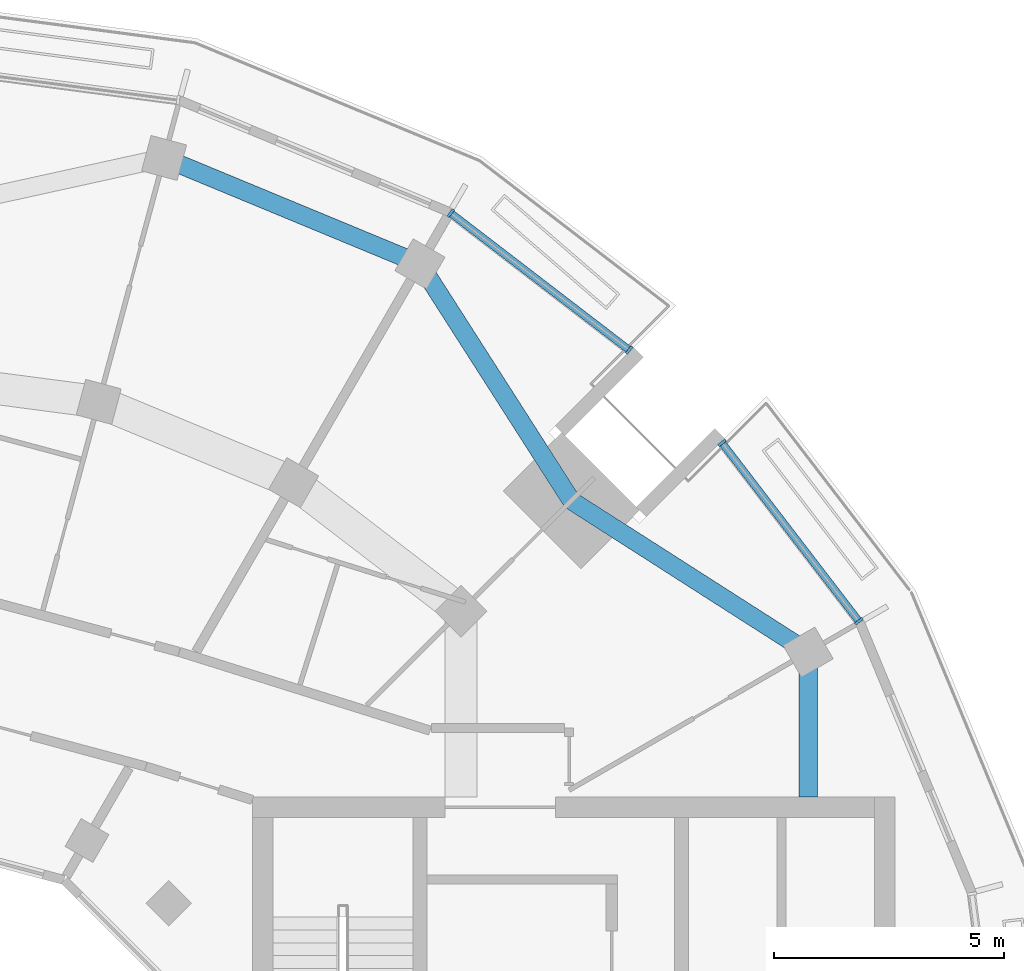
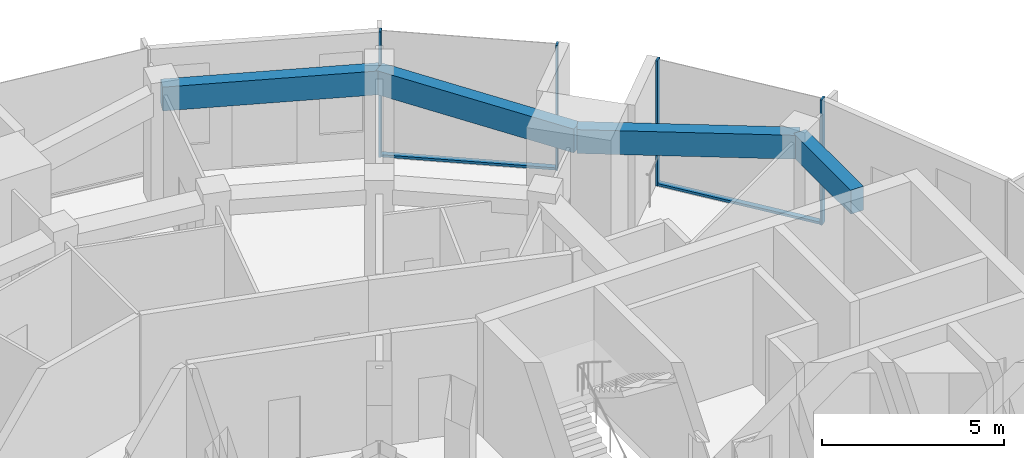
# One storey, part 6 of 17: 6 members, 4 beams, 2 elements without a shape of their own.
"""IFC4 building model written with IfcOpenShell, lengths in metres."""

import ifcopenshell
import ifcopenshell.guid

model = None  # the IFC model being written
_history = None  # IfcOwnerHistory: only IFC2X3 demands one
_inside = {}  # id of a spatial element -> (the spatial element, [elements in it])
_under = {}  # id of a project, library or spatial element -> (it, [spatial elements below it])
_declared = {}  # id of a project -> (the project, [libraries it declares])
_typed = {}  # id of a type object -> (the type object, [elements of that type])
_made_of = {}  # id of a material, layer set ... -> (it, [elements and type objects made of it])


def new_model(schema):
    """Start an empty IFC model of exactly this schema.

    Asked for "IFC4X3", IfcOpenShell would pick the latest addendum, in which some entities
    have other attributes; the version numbers below select the first issue.
    IFC2X3 requires an IfcOwnerHistory on every rooted entity: one is made here for all.
    """
    global model, _history
    if schema == "IFC4X3":
        model = ifcopenshell.file(schema_version=(4, 3, 0, 0))
    else:
        model = ifcopenshell.file(schema=schema)
    _inside.clear()
    _under.clear()
    _declared.clear()
    _typed.clear()
    _made_of.clear()
    _history = None
    if model.schema == "IFC2X3":
        org = make("IfcOrganization", Name="unknown")
        user = make(
            "IfcPersonAndOrganization",
            ThePerson=make("IfcPerson", FamilyName="unknown"),
            TheOrganization=org,
        )
        app = make(
            "IfcApplication",
            ApplicationDeveloper=org,
            Version="unknown",
            ApplicationFullName="unknown",
            ApplicationIdentifier="unknown",
        )
        _history = make(
            "IfcOwnerHistory",
            OwningUser=user,
            OwningApplication=app,
            ChangeAction="ADDED",
            CreationDate=0,
        )
    return model


def make(cls, **values):
    """One entity of the class cls with the attributes given. An attribute that is None is left unset."""
    return model.create_entity(
        cls, **{name: value for name, value in values.items() if value is not None}
    )


def rooted(cls, **values):
    """An entity with a GlobalId (a new one), such as an element, a storey or a relation."""
    return make(cls, GlobalId=ifcopenshell.guid.new(), OwnerHistory=_history, **values)


def si_unit(unit_type, name, prefix=None):
    """IfcSIUnit, for example si_unit("LENGTHUNIT", "METRE", prefix="MILLI")."""
    return make("IfcSIUnit", UnitType=unit_type, Prefix=prefix, Name=name)


def assignment(units):
    """IfcUnitAssignment: the units of a project."""
    return None if units is None else make("IfcUnitAssignment", Units=units)


def point(xyz):
    """IfcCartesianPoint."""
    return None if xyz is None else make("IfcCartesianPoint", Coordinates=xyz)


def direction(xyz):
    """IfcDirection."""
    return None if xyz is None else make("IfcDirection", DirectionRatios=xyz)


def frame(location, z_axis=None, x_axis=None):
    """IfcAxis2Placement3D, a coordinate frame: its origin and axes. An axis left out is left unset."""
    return make(
        "IfcAxis2Placement3D",
        Location=point(location),
        Axis=direction(z_axis),
        RefDirection=direction(x_axis),
    )


def frame_2d(location, x_axis=None):
    """IfcAxis2Placement2D, a coordinate frame in the plane: its origin and x axis."""
    return make(
        "IfcAxis2Placement2D", Location=point(location), RefDirection=direction(x_axis)
    )


def origin():
    """The frame at (0, 0, 0) with its axes left unset."""
    return frame((0.0, 0.0, 0.0))


def origin_2d():
    """The frame at (0, 0) in the plane with its x axis left unset."""
    return frame_2d((0.0, 0.0))


def place(relative_to, where):
    """IfcLocalPlacement: puts the frame where relative to a parent placement (None: the world)."""
    return make(
        "IfcLocalPlacement", PlacementRelTo=relative_to, RelativePlacement=where
    )


def context(
    kind, dimensions, precision=None, world=None, true_north=None, identifier=None
):
    """IfcGeometricRepresentationContext, for example the 3D "Model" context."""
    return make(
        "IfcGeometricRepresentationContext",
        ContextIdentifier=identifier,
        ContextType=kind,
        CoordinateSpaceDimension=dimensions,
        Precision=precision,
        WorldCoordinateSystem=world,
        TrueNorth=true_north,
    )


def subcontext(parent, identifier, kind, view, scale=None):
    """IfcGeometricRepresentationSubContext, for example "Body" below "Model"."""
    return make(
        "IfcGeometricRepresentationSubContext",
        ContextIdentifier=identifier,
        ContextType=kind,
        ParentContext=parent,
        TargetScale=scale,
        TargetView=view,
    )


def project(units=None, contexts=None):
    """IfcProject with its units and contexts."""
    return rooted(
        "IfcProject",
        Name="project",
        RepresentationContexts=contexts,
        UnitsInContext=assignment(units),
    )


def spatial(cls, under=None, at=None, **own):
    """A site, building, storey or space (cls), placed at a placement, below another one or the project."""
    s = rooted(cls, ObjectPlacement=at, **own)
    if under is not None:
        _under.setdefault(under.id(), (under, []))[1].append(s)
    return s


def profile(cls, at=None, kind="AREA", **sizes):
    """A parametric profile (cls). Its sizes go by their IFC names, for example OverallWidth=200.0."""
    return make(cls, ProfileType=kind, Position=at, **sizes)


def rectangle(**sizes):
    """IfcRectangleProfileDef."""
    return profile("IfcRectangleProfileDef", **sizes)


def extrude(swept, where, along, depth):
    """IfcExtrudedAreaSolid: the profile swept, set in the frame where, extruded along a direction by depth."""
    return make(
        "IfcExtrudedAreaSolid",
        SweptArea=swept,
        Position=where,
        ExtrudedDirection=direction(along),
        Depth=depth,
    )


def shape(context_of_items, identifier, shape_type, items):
    """IfcShapeRepresentation: the items that make up one representation, for example the "Body"."""
    return make(
        "IfcShapeRepresentation",
        ContextOfItems=context_of_items,
        RepresentationIdentifier=identifier,
        RepresentationType=shape_type,
        Items=items,
    )


def material(Name=None, Category=None):
    """IfcMaterial."""
    return make("IfcMaterial", Name=Name, Category=Category)


def layer(
    of_material, thickness, ventilated=None, Name=None, Category=None, Priority=None
):
    """IfcMaterialLayer: one layer of a wall or slab, of a material (None: an air gap)."""
    return make(
        "IfcMaterialLayer",
        Material=of_material,
        LayerThickness=thickness,
        IsVentilated=ventilated,
        Name=Name,
        Category=Category,
        Priority=Priority,
    )


def layer_set(layers, Name=None):
    """IfcMaterialLayerSet."""
    return make("IfcMaterialLayerSet", MaterialLayers=layers, LayerSetName=Name)


def material_profile(
    of_material, cross_section, Name=None, Category=None, Priority=None
):
    """IfcMaterialProfile: a cross section and its material."""
    return make(
        "IfcMaterialProfile",
        Name=Name,
        Material=of_material,
        Profile=cross_section,
        Priority=Priority,
        Category=Category,
    )


def profile_set(profiles, Name=None, composite=None):
    """IfcMaterialProfileSet."""
    return make(
        "IfcMaterialProfileSet",
        Name=Name,
        MaterialProfiles=profiles,
        CompositeProfile=composite,
    )


def made_of(thing, what):
    """Note that an element or type object is made of a material, layer set ...; save() writes the relation."""
    if what is not None:
        _made_of.setdefault(what.id(), (what, []))[1].append(thing)
    return thing


def type_object(cls, material=None, **own):
    """A type object (cls), such as IfcWallType, which elements share."""
    return made_of(rooted(cls, **own), material)


def element(
    cls,
    number,
    at=None,
    inside=None,
    cuts=None,
    type_object=None,
    material=None,
    context=None,
    identifier="Body",
    shape_type=None,
    held_by="IfcProductDefinitionShape",
    body=None,
    shapes=None,
    **own,
):
    """One element of the class cls, such as IfcWall. Its Tag is "e" and its number.

    at: its placement. inside: the storey or other place that contains it. cuts: it is an
    opening in that element (IfcRelVoidsElement). A single representation is given by context,
    identifier, shape_type and body (its items); several are given by shapes. held_by: the class
    of the entity that holds the representations. save() writes the other relations.
    """
    e = rooted(cls, Tag="e%d" % number, ObjectPlacement=at, **own)
    if body is not None:
        shapes = [shape(context, identifier, shape_type, body)]
    if shapes is not None:
        e.Representation = make(held_by, Representations=shapes)
    if inside is not None:
        _inside.setdefault(inside.id(), (inside, []))[1].append(e)
    if cuts is not None:
        rooted(
            "IfcRelVoidsElement", RelatingBuildingElement=cuts, RelatedOpeningElement=e
        )
    if type_object is not None:
        _typed.setdefault(type_object.id(), (type_object, []))[1].append(e)
    return made_of(e, material)


def aggregate(whole, parts):
    """IfcRelAggregates: a whole, such as a stair, and the parts it consists of."""
    return rooted("IfcRelAggregates", RelatingObject=whole, RelatedObjects=parts)


def save(model, path):
    """Write the relations noted so far, then the file.

    IfcRelAggregates (storeys below a building ...), IfcRelContainedInSpatialStructure (elements
    in a storey), IfcRelDefinesByType, IfcRelAssociatesMaterial and IfcRelDeclares: one each for
    every whole, place, type object, material and project.
    """
    for whole, parts in _under.values():
        aggregate(whole, parts)
    for where, things in _inside.values():
        rooted(
            "IfcRelContainedInSpatialStructure",
            RelatedElements=things,
            RelatingStructure=where,
        )
    for kind, things in _typed.values():
        rooted("IfcRelDefinesByType", RelatedObjects=things, RelatingType=kind)
    for what, things in _made_of.values():
        rooted("IfcRelAssociatesMaterial", RelatedObjects=things, RelatingMaterial=what)
    for by, libraries in _declared.values():
        rooted("IfcRelDeclares", RelatingContext=by, RelatedDefinitions=libraries)
    model.write(path)


model = new_model("IFC4")

# Units and contexts
model_context = context("Model", 3, precision=1e-05, world=origin(), true_north=direction((0.0, 1.0)))
body_context = subcontext(model_context, "Body", "Model", "MODEL_VIEW")
ifc_project = project(units=[si_unit("LENGTHUNIT", "METRE"), si_unit("AREAUNIT", "SQUARE_METRE"), si_unit("VOLUMEUNIT", "CUBIC_METRE"), si_unit("PLANEANGLEUNIT", "RADIAN"), si_unit("MASSUNIT", "GRAM", prefix="KILO")], contexts=[model_context])

# Site, building, storey
site_placement = place(None, origin())
site = spatial("IfcSite", under=ifc_project, at=site_placement, CompositionType="ELEMENT")
building_placement = place(site_placement, origin())
building = spatial("IfcBuilding", under=site, at=building_placement, Name="Torre Brocal", CompositionType="ELEMENT")
storey_placement = place(building_placement, frame((0.0, 0.0, 275.699951171875)))
storey = spatial("IfcBuildingStorey", under=building, at=storey_placement, Name="L63", CompositionType="ELEMENT", Elevation=275.699951171875)

# Curtain wall, members
ifc_material_1 = material(Name="Aluminium and glass", Category="aluminium")
ifc_layer = layer(ifc_material_1, 0.199951171875)
ifc_layer_set = layer_set([ifc_layer], Name="Aluminium and glass")
curtain_wall_type = type_object("IfcCurtainWallType", Name="CW-1 CURTAIN WALL 4200 HIGH", PredefinedType="NOTDEFINED", material=ifc_layer_set)
curtain_wall_1_placement = place(storey_placement, origin())
curtain_wall_1 = element("IfcCurtainWall", 1, at=curtain_wall_1_placement, inside=storey, type_object=curtain_wall_type, Name="CW-1 RUN 3", PredefinedType="NOTDEFINED")
ifc_material_2 = material(Name="Aluminium, dark anodised", Category="aluminium")
ifc_material_profile_1 = material_profile(ifc_material_2, rectangle(XDim=0.199951171875, YDim=0.06005859375, at=origin_2d()), Name="CW-1 MULLION 60X200")
ifc_profile_set_1 = profile_set([ifc_material_profile_1], Name="Aluminium, dark anodised")
member_type_1 = type_object("IfcMemberType", Name="CW-1 MULLION 60X200", PredefinedType="MULLION", material=ifc_profile_set_1)
member_1_placement = place(storey_placement, frame((101.112060546875, 87.223388671875, 0.0), z_axis=(0.0, 0.0, 1.0), x_axis=(-0.793353340344, -0.608761428939, 0.0)))
member_1 = element("IfcMember", 2, at=member_1_placement, type_object=member_type_1, Name="CW1-5 mullion 1", PredefinedType="MULLION", context=body_context, shape_type="SweptSolid", body=[
    extrude(rectangle(XDim=0.199951171875, YDim=0.06005859375, at=origin_2d()), origin(), (0.0, 0.0, 1.0), 4.199951171875),
])
member_2_placement = place(storey_placement, frame((98.130615234375, 91.108642578125, 0.0), z_axis=(0.0, 0.0, 1.0), x_axis=(-0.793353340344, -0.608761428939, 0.0)))
member_2 = element("IfcMember", 3, at=member_2_placement, type_object=member_type_1, Name="CW1-5 mullion 2", PredefinedType="MULLION", context=body_context, shape_type="SweptSolid", body=[
    extrude(rectangle(XDim=0.199951171875, YDim=0.06005859375, at=origin_2d()), origin(), (0.0, 0.0, 1.0), 4.199951171875),
])

curtain_wall_2_placement = place(storey_placement, origin())
curtain_wall_2 = element("IfcCurtainWall", 4, at=curtain_wall_2_placement, inside=storey, type_object=curtain_wall_type, Name="CW-1 RUN 4", PredefinedType="NOTDEFINED")
member_3_placement = place(storey_placement, frame((96.108642578125, 93.130615234375, 0.0), z_axis=(0.0, 0.0, 1.0), x_axis=(-0.608761428939, -0.793353340344, 0.0)))
member_3 = element("IfcMember", 5, at=member_3_placement, type_object=member_type_1, Name="CW1-5 mullion 1", PredefinedType="MULLION", context=body_context, shape_type="SweptSolid", body=[
    extrude(rectangle(XDim=0.199951171875, YDim=0.06005859375, at=origin_2d()), origin(), (0.0, 0.0, 1.0), 4.199951171875),
])
member_4_placement = place(storey_placement, frame((92.223388671875, 96.112060546875, 0.0), z_axis=(0.0, 0.0, 1.0), x_axis=(-0.608761428939, -0.793353340344, 0.0)))
member_4 = element("IfcMember", 6, at=member_4_placement, type_object=member_type_1, Name="CW1-5 mullion 2", PredefinedType="MULLION", context=body_context, shape_type="SweptSolid", body=[
    extrude(rectangle(XDim=0.199951171875, YDim=0.06005859375, at=origin_2d()), origin(), (0.0, 0.0, 1.0), 4.199951171875),
])

# Member
ifc_material_3 = material(Name="Aluminium, dark anodised", Category="aluminium")
ifc_material_profile_2 = material_profile(ifc_material_3, rectangle(XDim=0.159912109375, YDim=0.080078125, at=origin_2d()), Name="CW-1 TRANSOM 160X80")
ifc_profile_set_2 = profile_set([ifc_material_profile_2], Name="Aluminium, dark anodised")
member_type_2 = type_object("IfcMemberType", Name="CW-1 TRANSOM 160X80", PredefinedType="USERDEFINED", material=ifc_profile_set_2)
member_5_placement = place(storey_placement, frame((101.09375, 87.2470703125, 0.0400390625), z_axis=(-0.608749350163, 0.793362608569, 0.0), x_axis=(-0.793362608569, -0.608749350163, 0.0)))
member_5 = element("IfcMember", 7, at=member_5_placement, type_object=member_type_2, Name="CW1-5 transom 1.1", ObjectType="TRANSOM", PredefinedType="USERDEFINED", context=body_context, shape_type="SweptSolid", body=[
    extrude(rectangle(XDim=0.159912109375, YDim=0.080078125, at=origin_2d()), origin(), (0.0, 0.0, 1.0), 4.83740234375),
])

aggregate(curtain_wall_1, [member_1, member_2, member_5])

member_6_placement = place(storey_placement, frame((96.0849609375, 93.14892578125, 0.0400390625), z_axis=(-0.793362608569, 0.608749350163, 0.0), x_axis=(-0.608749350163, -0.793362608569, 0.0)))
member_6 = element("IfcMember", 8, at=member_6_placement, type_object=member_type_2, Name="CW1-5 transom 1.1", ObjectType="TRANSOM", PredefinedType="USERDEFINED", context=body_context, shape_type="SweptSolid", body=[
    extrude(rectangle(XDim=0.159912109375, YDim=0.080078125, at=origin_2d()), origin(), (0.0, 0.0, 1.0), 4.83740234375),
])

aggregate(curtain_wall_2, [member_3, member_4, member_6])

# Beams
ifc_material_4 = material(Name="Concrete C50", Category="concrete")
ifc_material_profile_3 = material_profile(ifc_material_4, rectangle(XDim=0.39990234375, YDim=0.800048828125, at=origin_2d()), Name="RC 400X800")
ifc_profile_set_3 = profile_set([ifc_material_profile_3], Name="Concrete C50")
beam_type = type_object("IfcBeamType", Name="RC SPANDREL BEAM 400X800 C50 TOP 3880", PredefinedType="SPANDREL", material=ifc_profile_set_3)
for number, where, z_axis, x_axis, name in (
    (9, (100.005126953125, 86.550048828125, 3.47998046875), (-0.842328620069, 0.538964280647, 0.0), (-0.538964280647, -0.842328620069, 0.0), "Beam BT-47"),
    (10, (94.84912109375, 89.84912109375, 3.47998046875), (-0.538964280647, 0.842328620069, 0.0), (-0.842328620069, -0.538964280647, 0.0), "Beam BT-47"),
):
    element("IfcBeam", number, at=place(storey_placement, frame(where, z_axis=z_axis, x_axis=x_axis)), inside=storey, type_object=beam_type, Name=name, PredefinedType="SPANDREL", context=body_context, shape_type="SweptSolid", body=[
        extrude(rectangle(XDim=0.39990234375, YDim=0.800048828125, at=origin_2d()), origin(), (0.0, 0.0, 1.0), 6.12109375),
    ])
beam_1_placement = place(storey_placement, frame((91.550048828125, 95.005126953125, 3.47998046875), z_axis=(-0.923870278372, 0.38270577307, 0.0), x_axis=(-0.38270577307, -0.923870278372, 0.0)))
element("IfcBeam", 11, at=beam_1_placement, inside=storey, type_object=beam_type, Name="Beam BT-47", PredefinedType="SPANDREL", context=body_context, shape_type="SweptSolid", body=[
    extrude(rectangle(XDim=0.39990234375, YDim=0.800048828125, at=origin_2d()), origin(), (0.0, 0.0, 1.0), 6.0302734375),
])
beam_2_placement = place(storey_placement, frame((100.005126953125, 86.550048828125, 3.47998046875), z_axis=(0.0, -1.0, 0.0), x_axis=(1.0, 0.0, 0.0)))
element("IfcBeam", 12, at=beam_2_placement, inside=storey, type_object=beam_type, Name="Beam BT-47", PredefinedType="SPANDREL", context=body_context, shape_type="SweptSolid", body=[
    extrude(rectangle(XDim=0.39990234375, YDim=0.800048828125, at=origin_2d()), origin(), (0.0, 0.0, 1.0), 3.150146484375),
])

save(model, "model.ifc")
